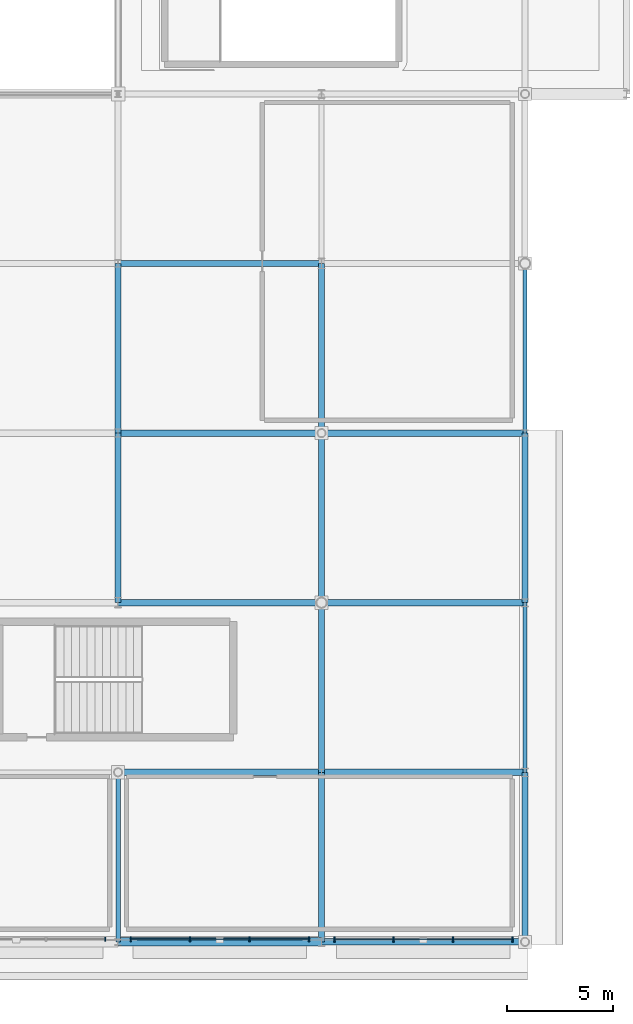
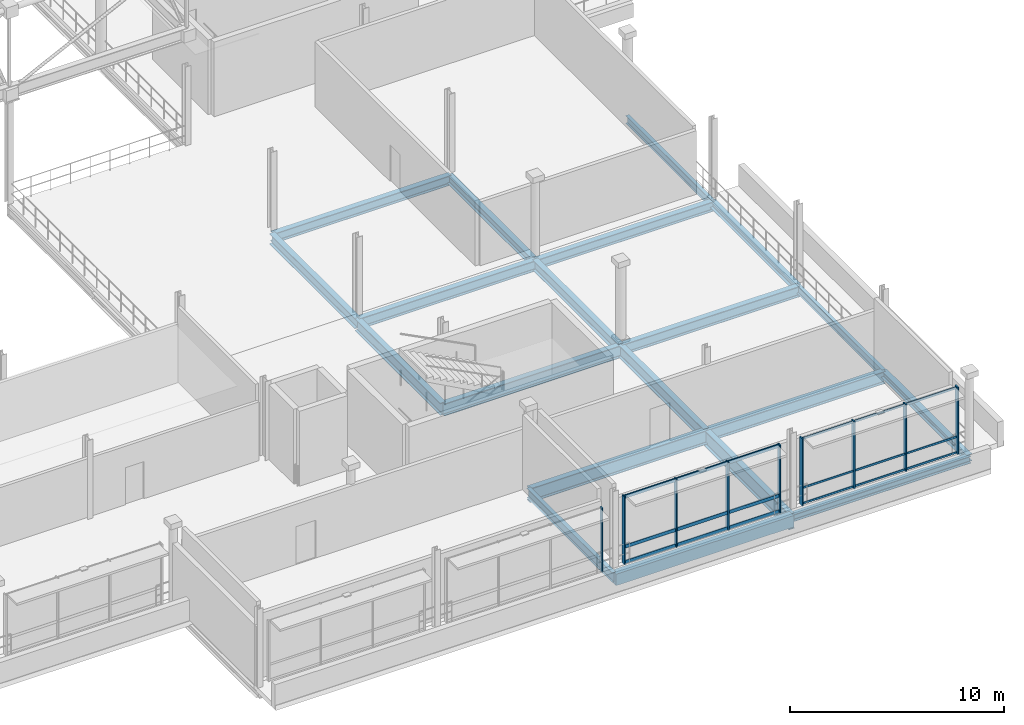
# One storey, part 83 of 193: 20 beams, 15 members, 3 elements without a shape of their own.
"""IFC4 building model written with IfcOpenShell, lengths in metres."""

from ifc_helpers import new_model, si_unit, direction, frame, origin, origin_2d, place, context, subcontext, project, spatial, rectangle, i_section, extrude, material, material_profile, profile_set, type_object, element, aggregate, save


model = new_model("IFC4")

# Units and contexts
model_context = context("Model", 3, precision=1e-05, world=origin(), true_north=direction((0.0, 1.0)))
body_context = subcontext(model_context, "Body", "Model", "MODEL_VIEW")
ifc_project = project(units=[si_unit("LENGTHUNIT", "METRE"), si_unit("AREAUNIT", "SQUARE_METRE"), si_unit("VOLUMEUNIT", "CUBIC_METRE"), si_unit("PLANEANGLEUNIT", "RADIAN"), si_unit("MASSUNIT", "GRAM", prefix="KILO")], contexts=[model_context])

# Site, building, storey
site_placement = place(None, origin())
site = spatial("IfcSite", under=ifc_project, at=site_placement, CompositionType="ELEMENT")
building_placement = place(site_placement, origin())
building = spatial("IfcBuilding", under=site, at=building_placement, Name="Danafjord Basin Convention Centre", CompositionType="ELEMENT")
storey_placement = place(building_placement, frame((0.0, 0.0, 11.39990234375)))
storey = spatial("IfcBuildingStorey", under=building, at=storey_placement, Name="L02", CompositionType="ELEMENT", Elevation=11.39990234375)

# Beams
ifc_material_1 = material(Name="Steel S355", Category="steel")
ifc_material_profile_1 = material_profile(ifc_material_1, i_section(OverallWidth=0.300048828125, OverallDepth=0.5, WebThickness=0.014404296875, FlangeThickness=0.028076171875, FilletRadius=0.027099609375, at=origin_2d()), Name="HEB 500")
ifc_profile_set_1 = profile_set([ifc_material_profile_1], Name="Steel S355")
beam_type_1 = type_object("IfcBeamType", Name="BEAM-BM-HEB500", PredefinedType="BEAM", material=ifc_profile_set_1)
beam_1_placement = place(storey_placement, frame((201.60009765625, 24.0, -0.47998046875), z_axis=(0.0, 1.0, 0.0), x_axis=(-1.0, 0.0, 0.0)))
element("IfcBeam", 1, at=beam_1_placement, inside=storey, type_object=beam_type_1, Name="L02 transverse girder BM-HEB500", PredefinedType="BEAM", context=body_context, shape_type="SweptSolid", body=[
    extrude(i_section(OverallWidth=0.300048828125, OverallDepth=0.5, WebThickness=0.014404296875, FlangeThickness=0.028076171875, FilletRadius=0.027099609375, at=origin_2d()), origin(), (0.0, 0.0, 1.0), 8.0),
])
ifc_material_profile_2 = material_profile(ifc_material_1, i_section(OverallWidth=0.300048828125, OverallDepth=0.550048828125, WebThickness=0.014892578125, FlangeThickness=0.029052734375, FilletRadius=0.027099609375, at=origin_2d()), Name="HEB 550")
ifc_profile_set_2 = profile_set([ifc_material_profile_2], Name="Steel S355")
beam_type_2 = type_object("IfcBeamType", Name="BEAM-BM-HEB550", PredefinedType="BEAM", material=ifc_profile_set_2)
beam_2_placement = place(storey_placement, frame((192.0, 32.0, -0.5048828125), z_axis=(1.0, 0.0, 0.0), x_axis=(0.0, 1.0, 0.0)))
element("IfcBeam", 2, at=beam_2_placement, inside=storey, type_object=beam_type_2, Name="L02 girder BM-HEB550", PredefinedType="BEAM", context=body_context, shape_type="SweptSolid", body=[
    extrude(i_section(OverallWidth=0.300048828125, OverallDepth=0.550048828125, WebThickness=0.014892578125, FlangeThickness=0.029052734375, FilletRadius=0.027099609375, at=origin_2d()), origin(), (0.0, 0.0, 1.0), 9.60009765625),
])
beam_3_placement = place(storey_placement, frame((201.60009765625, 24.0, -0.5048828125), z_axis=(1.0, 0.0, 0.0), x_axis=(0.0, 1.0, 0.0)))
element("IfcBeam", 3, at=beam_3_placement, inside=storey, type_object=beam_type_2, Name="L02 girder BM-HEB550", PredefinedType="BEAM", context=body_context, shape_type="SweptSolid", body=[
    extrude(i_section(OverallWidth=0.300048828125, OverallDepth=0.550048828125, WebThickness=0.014892578125, FlangeThickness=0.029052734375, FilletRadius=0.027099609375, at=origin_2d()), origin(), (0.0, 0.0, 1.0), 9.599853515625),
])
ifc_material_profile_3 = material_profile(ifc_material_1, i_section(OverallWidth=0.300048828125, OverallDepth=0.60009765625, WebThickness=0.015380859375, FlangeThickness=0.030029296875, FilletRadius=0.027099609375, at=origin_2d()), Name="HEB 600")
ifc_profile_set_3 = profile_set([ifc_material_profile_3], Name="Steel S355")
beam_type_3 = type_object("IfcBeamType", Name="BEAM-BM-HEB600", PredefinedType="BEAM", material=ifc_profile_set_3)
beam_4_placement = place(storey_placement, frame((192.0, 24.0, -0.52978515625), z_axis=(1.0, 0.0, 0.0), x_axis=(0.0, 1.0, 0.0)))
element("IfcBeam", 4, at=beam_4_placement, inside=storey, type_object=beam_type_3, Name="L02 girder BM-HEB600", PredefinedType="BEAM", context=body_context, shape_type="SweptSolid", body=[
    extrude(i_section(OverallWidth=0.300048828125, OverallDepth=0.60009765625, WebThickness=0.015380859375, FlangeThickness=0.030029296875, FilletRadius=0.027099609375, at=origin_2d()), origin(), (0.0, 0.0, 1.0), 9.60009765625),
])
beam_5_placement = place(storey_placement, frame((201.60009765625, 16.0, -0.52978515625), z_axis=(1.0, 0.0, 0.0), x_axis=(0.0, 1.0, 0.0)))
element("IfcBeam", 5, at=beam_5_placement, inside=storey, type_object=beam_type_3, Name="L02 girder BM-HEB600", PredefinedType="BEAM", context=body_context, shape_type="SweptSolid", body=[
    extrude(i_section(OverallWidth=0.300048828125, OverallDepth=0.60009765625, WebThickness=0.015380859375, FlangeThickness=0.030029296875, FilletRadius=0.027099609375, at=origin_2d()), origin(), (0.0, 0.0, 1.0), 9.599853515625),
])
for number, where, z_axis, x_axis, name in (
    (6, (192.0, 24.0, -0.52978515625), (0.0, 1.0, 0.0), (-1.0, 0.0, 0.0), "L02 transverse girder BM-HEB600"),
    (7, (201.60009765625, 16.0, -0.52978515625), (0.0, 1.0, 0.0), (-1.0, 0.0, 0.0), "L02 transverse girder BM-HEB600"),
):
    element("IfcBeam", number, at=place(storey_placement, frame(where, z_axis=z_axis, x_axis=x_axis)), inside=storey, type_object=beam_type_3, Name=name, PredefinedType="BEAM", context=body_context, shape_type="SweptSolid", body=[
        extrude(i_section(OverallWidth=0.300048828125, OverallDepth=0.60009765625, WebThickness=0.015380859375, FlangeThickness=0.030029296875, FilletRadius=0.027099609375, at=origin_2d()), origin(), (0.0, 0.0, 1.0), 8.0),
    ])
ifc_material_profile_4 = material_profile(ifc_material_1, i_section(OverallWidth=0.300048828125, OverallDepth=0.699951171875, WebThickness=0.01708984375, FlangeThickness=0.031982421875, FilletRadius=0.027099609375, at=origin_2d()), Name="HEB 700")
ifc_profile_set_4 = profile_set([ifc_material_profile_4], Name="Steel S355")
beam_type_4 = type_object("IfcBeamType", Name="BEAM-BM-HEB700", PredefinedType="BEAM", material=ifc_profile_set_4)
beam_6_placement = place(storey_placement, frame((192.0, 16.0, -0.579833984375), z_axis=(1.0, 0.0, 0.0), x_axis=(0.0, 1.0, 0.0)))
element("IfcBeam", 8, at=beam_6_placement, inside=storey, type_object=beam_type_4, Name="L02 girder BM-HEB700", PredefinedType="BEAM", context=body_context, shape_type="SweptSolid", body=[
    extrude(i_section(OverallWidth=0.300048828125, OverallDepth=0.699951171875, WebThickness=0.01708984375, FlangeThickness=0.031982421875, FilletRadius=0.027099609375, at=origin_2d()), origin(), (0.0, 0.0, 1.0), 9.60009765625),
])
beam_7_placement = place(storey_placement, frame((201.60009765625, 8.0, -0.579833984375), z_axis=(1.0, 0.0, 0.0), x_axis=(0.0, 1.0, 0.0)))
element("IfcBeam", 9, at=beam_7_placement, inside=storey, type_object=beam_type_4, Name="L02 girder BM-HEB700", PredefinedType="BEAM", context=body_context, shape_type="SweptSolid", body=[
    extrude(i_section(OverallWidth=0.300048828125, OverallDepth=0.699951171875, WebThickness=0.01708984375, FlangeThickness=0.031982421875, FilletRadius=0.027099609375, at=origin_2d()), origin(), (0.0, 0.0, 1.0), 9.599853515625),
])
for number, where, z_axis, x_axis, name in (
    (10, (192.0, 16.0, -0.579833984375), (0.0, 1.0, 0.0), (-1.0, 0.0, 0.0), "L02 transverse girder BM-HEB700"),
    (11, (201.60009765625, 8.0, -0.579833984375), (0.0, 1.0, 0.0), (-1.0, 0.0, 0.0), "L02 transverse girder BM-HEB700"),
):
    element("IfcBeam", number, at=place(storey_placement, frame(where, z_axis=z_axis, x_axis=x_axis)), inside=storey, type_object=beam_type_4, Name=name, PredefinedType="BEAM", context=body_context, shape_type="SweptSolid", body=[
        extrude(i_section(OverallWidth=0.300048828125, OverallDepth=0.699951171875, WebThickness=0.01708984375, FlangeThickness=0.031982421875, FilletRadius=0.027099609375, at=origin_2d()), origin(), (0.0, 0.0, 1.0), 8.0),
    ])
ifc_material_profile_5 = material_profile(ifc_material_1, i_section(OverallWidth=0.300048828125, OverallDepth=0.800048828125, WebThickness=0.017578125, FlangeThickness=0.032958984375, FilletRadius=0.030029296875, at=origin_2d()), Name="HEB 800")
ifc_profile_set_5 = profile_set([ifc_material_profile_5], Name="Steel S355")
beam_type_5 = type_object("IfcBeamType", Name="BEAM-BM-HEB800", PredefinedType="BEAM", material=ifc_profile_set_5)
beam_8_placement = place(storey_placement, frame((192.0, 8.0, -0.6298828125), z_axis=(1.0, 0.0, 0.0), x_axis=(0.0, 1.0, 0.0)))
element("IfcBeam", 12, at=beam_8_placement, inside=storey, type_object=beam_type_5, Name="L02 girder BM-HEB800", PredefinedType="BEAM", context=body_context, shape_type="SweptSolid", body=[
    extrude(i_section(OverallWidth=0.300048828125, OverallDepth=0.800048828125, WebThickness=0.017578125, FlangeThickness=0.032958984375, FilletRadius=0.030029296875, at=origin_2d()), origin(), (0.0, 0.0, 1.0), 9.60009765625),
])
ifc_material_profile_6 = material_profile(ifc_material_1, i_section(OverallWidth=0.300048828125, OverallDepth=0.89990234375, WebThickness=0.0185546875, FlangeThickness=0.034912109375, FilletRadius=0.030029296875, at=origin_2d()), Name="HEB 900")
ifc_profile_set_6 = profile_set([ifc_material_profile_6], Name="Steel S355")
beam_type_6 = type_object("IfcBeamType", Name="BEAM-BM-HEB900", PredefinedType="BEAM", material=ifc_profile_set_6)
beam_9_placement = place(storey_placement, frame((201.60009765625, 0.0, -0.679931640625), z_axis=(0.0, 1.0, 0.0), x_axis=(-1.0, 0.0, 0.0)))
element("IfcBeam", 13, at=beam_9_placement, inside=storey, type_object=beam_type_6, Name="L02 transverse girder BM-HEB900", PredefinedType="BEAM", context=body_context, shape_type="SweptSolid", body=[
    extrude(i_section(OverallWidth=0.300048828125, OverallDepth=0.89990234375, WebThickness=0.0185546875, FlangeThickness=0.034912109375, FilletRadius=0.030029296875, at=origin_2d()), origin(), (0.0, 0.0, 1.0), 8.0),
])
ifc_material_profile_7 = material_profile(ifc_material_1, i_section(OverallWidth=0.2099609375, OverallDepth=0.550048828125, WebThickness=0.010986328125, FlangeThickness=0.01708984375, FilletRadius=0.02392578125, at=origin_2d()), Name="IPE 550")
ifc_profile_set_7 = profile_set([ifc_material_profile_7], Name="Steel S355")
beam_type_7 = type_object("IfcBeamType", Name="BEAM-BM-IPE550", PredefinedType="BEAM", material=ifc_profile_set_7)
beam_10_placement = place(storey_placement, frame((192.0, 0.0, -0.5048828125), z_axis=(0.0, 1.0, 0.0), x_axis=(-1.0, 0.0, 0.0)))
element("IfcBeam", 14, at=beam_10_placement, inside=storey, type_object=beam_type_7, Name="L02 transverse girder BM-IPE550", PredefinedType="BEAM", context=body_context, shape_type="SweptSolid", body=[
    extrude(i_section(OverallWidth=0.2099609375, OverallDepth=0.550048828125, WebThickness=0.010986328125, FlangeThickness=0.01708984375, FilletRadius=0.02392578125, at=origin_2d()), origin(), (0.0, 0.0, 1.0), 8.0),
])
ifc_material_profile_8 = material_profile(ifc_material_1, i_section(OverallWidth=0.300048828125, OverallDepth=0.39990234375, WebThickness=0.013427734375, FlangeThickness=0.02392578125, FilletRadius=0.027099609375, at=origin_2d()), Name="HEB 400")
ifc_profile_set_8 = profile_set([ifc_material_profile_8], Name="Steel S355")
beam_type_8 = type_object("IfcBeamType", Name="BEAM-SP-HEB400", PredefinedType="SPANDREL", material=ifc_profile_set_8)
beam_11_placement = place(storey_placement, frame((201.60009765625, 0.0, -0.429931640625), z_axis=(1.0, 0.0, 0.0), x_axis=(0.0, 1.0, 0.0)))
element("IfcBeam", 15, at=beam_11_placement, inside=storey, type_object=beam_type_8, Name="L02 girder SP-HEB400", PredefinedType="SPANDREL", context=body_context, shape_type="SweptSolid", body=[
    extrude(i_section(OverallWidth=0.300048828125, OverallDepth=0.39990234375, WebThickness=0.013427734375, FlangeThickness=0.02392578125, FilletRadius=0.027099609375, at=origin_2d()), origin(), (0.0, 0.0, 1.0), 9.599853515625),
])
for number, where, z_axis, x_axis, name in (
    (16, (211.199951171875, 0.0, -0.429931640625), (0.0, 1.0, 0.0), (-1.0, 0.0, 0.0), "L02 transverse girder SP-HEB400"),
    (17, (211.199951171875, 16.0, -0.429931640625), (0.0, 1.0, 0.0), (-1.0, 0.0, 0.0), "L02 transverse girder SP-HEB400"),
):
    element("IfcBeam", number, at=place(storey_placement, frame(where, z_axis=z_axis, x_axis=x_axis)), inside=storey, type_object=beam_type_8, Name=name, PredefinedType="SPANDREL", context=body_context, shape_type="SweptSolid", body=[
        extrude(i_section(OverallWidth=0.300048828125, OverallDepth=0.39990234375, WebThickness=0.013427734375, FlangeThickness=0.02392578125, FilletRadius=0.027099609375, at=origin_2d()), origin(), (0.0, 0.0, 1.0), 8.0),
    ])
ifc_material_profile_9 = material_profile(ifc_material_1, i_section(OverallWidth=0.18994140625, OverallDepth=0.449951171875, WebThickness=0.009521484375, FlangeThickness=0.0146484375, FilletRadius=0.02099609375, at=origin_2d()), Name="IPE 450")
ifc_profile_set_9 = profile_set([ifc_material_profile_9], Name="Steel S355")
beam_type_9 = type_object("IfcBeamType", Name="BEAM-SP-IPE450", PredefinedType="SPANDREL", material=ifc_profile_set_9)
for number, where, z_axis, x_axis, name in (
    (18, (211.199951171875, 8.0, -0.454833984375), (0.0, 1.0, 0.0), (-1.0, 0.0, 0.0), "L02 transverse girder SP-IPE450"),
    (19, (211.199951171875, 24.0, -0.454833984375), (0.0, 1.0, 0.0), (-1.0, 0.0, 0.0), "L02 transverse girder SP-IPE450"),
):
    element("IfcBeam", number, at=place(storey_placement, frame(where, z_axis=z_axis, x_axis=x_axis)), inside=storey, type_object=beam_type_9, Name=name, PredefinedType="SPANDREL", context=body_context, shape_type="SweptSolid", body=[
        extrude(i_section(OverallWidth=0.18994140625, OverallDepth=0.449951171875, WebThickness=0.009521484375, FlangeThickness=0.0146484375, FilletRadius=0.02099609375, at=origin_2d()), origin(), (0.0, 0.0, 1.0), 8.0),
    ])
ifc_material_2 = material(Name="Precast concrete C45/55", Category="concrete")
ifc_material_profile_10 = material_profile(ifc_material_2, rectangle(XDim=0.39990234375, YDim=0.64990234375, at=origin_2d()), Name="PCB 400x650")
ifc_profile_set_10 = profile_set([ifc_material_profile_10], Name="Precast concrete C45/55")
beam_type_10 = type_object("IfcBeamType", Name="BEAM-SP-PCB650", PredefinedType="SPANDREL", material=ifc_profile_set_10)
beam_12_placement = place(storey_placement, frame((192.0, 0.0, -0.554931640625), z_axis=(1.0, 0.0, 0.0), x_axis=(0.0, 1.0, 0.0)))
element("IfcBeam", 20, at=beam_12_placement, inside=storey, type_object=beam_type_10, Name="L02 girder SP-PCB650", PredefinedType="SPANDREL", context=body_context, shape_type="SweptSolid", body=[
    extrude(rectangle(XDim=0.39990234375, YDim=0.64990234375, at=origin_2d()), origin(), (0.0, 0.0, 1.0), 9.60009765625),
])

# Curtain wall, member
ifc_material_3 = material(Name="Anodised aluminium and triple glazing", Category="aluminium")
curtain_wall_type = type_object("IfcCurtainWallType", Name="CW-CW-HARB", PredefinedType="NOTDEFINED", material=ifc_material_3)
curtain_wall_1_placement = place(storey_placement, origin())
curtain_wall_1 = element("IfcCurtainWall", 21, at=curtain_wall_1_placement, inside=storey, type_object=curtain_wall_type, Name="L02 CW-HARB unitised curtain wall bay 136", PredefinedType="NOTDEFINED")
ifc_material_4 = material(Name="Anodised aluminium EN AW-6060", Category="aluminium")
ifc_material_profile_11 = material_profile(ifc_material_4, rectangle(XDim=0.06005859375, YDim=0.179931640625, at=origin_2d()), Name="MULL 60x180")
ifc_profile_set_11 = profile_set([ifc_material_profile_11], Name="Anodised aluminium EN AW-6060")
member_type_1 = type_object("IfcMemberType", Name="MEM-ML-180", PredefinedType="MULLION", material=ifc_profile_set_11)
member_1_placement = place(storey_placement, frame((191.39990234375, 0.1201171875, -0.02490234375), z_axis=(0.0, 0.0, 1.0), x_axis=(1.0, 0.0, 0.0)))
member_1 = element("IfcMember", 22, at=member_1_placement, type_object=member_type_1, Name="CW-L02-136 mullion 4", PredefinedType="MULLION", context=body_context, shape_type="SweptSolid", body=[
    extrude(rectangle(XDim=0.06005859375, YDim=0.179931640625, at=origin_2d()), origin(), (0.0, 0.0, 1.0), 3.64111328125),
])
aggregate(curtain_wall_1, [member_1])

# Curtain wall, members
curtain_wall_2_placement = place(storey_placement, origin())
curtain_wall_2 = element("IfcCurtainWall", 23, at=curtain_wall_2_placement, inside=storey, type_object=curtain_wall_type, Name="L02 CW-HARB unitised curtain wall bay 137", PredefinedType="NOTDEFINED")
ifc_material_profile_12 = material_profile(ifc_material_4, rectangle(XDim=0.06494140625, YDim=0.219970703125, at=origin_2d()), Name="MULL 65x220")
ifc_profile_set_12 = profile_set([ifc_material_profile_12], Name="Anodised aluminium EN AW-6060")
member_type_2 = type_object("IfcMemberType", Name="MEM-ML-220", PredefinedType="MULLION", material=ifc_profile_set_12)
member_2_placement = place(storey_placement, frame((192.60009765625, 0.1201171875, -0.02490234375), z_axis=(0.0, 0.0, 1.0), x_axis=(1.0, 0.0, 0.0)))
member_2 = element("IfcMember", 24, at=member_2_placement, type_object=member_type_2, Name="CW-L02-137 mullion 1", PredefinedType="MULLION", context=body_context, shape_type="SweptSolid", body=[
    extrude(rectangle(XDim=0.06494140625, YDim=0.219970703125, at=origin_2d()), origin(), (0.0, 0.0, 1.0), 3.89111328125),
])
member_3_placement = place(storey_placement, frame((195.39990234375, 0.1201171875, -0.02490234375), z_axis=(0.0, 0.0, 1.0), x_axis=(1.0, 0.0, 0.0)))
member_3 = element("IfcMember", 25, at=member_3_placement, type_object=member_type_2, Name="CW-L02-137 mullion 2", PredefinedType="MULLION", context=body_context, shape_type="SweptSolid", body=[
    extrude(rectangle(XDim=0.06494140625, YDim=0.219970703125, at=origin_2d()), origin(), (0.0, 0.0, 1.0), 3.89111328125),
])
member_4_placement = place(storey_placement, frame((198.199951171875, 0.1201171875, -0.02490234375), z_axis=(0.0, 0.0, 1.0), x_axis=(1.0, 0.0, 0.0)))
member_4 = element("IfcMember", 26, at=member_4_placement, type_object=member_type_2, Name="CW-L02-137 mullion 3", PredefinedType="MULLION", context=body_context, shape_type="SweptSolid", body=[
    extrude(rectangle(XDim=0.06494140625, YDim=0.219970703125, at=origin_2d()), origin(), (0.0, 0.0, 1.0), 3.89111328125),
])
member_5_placement = place(storey_placement, frame((201.0, 0.1201171875, -0.02490234375), z_axis=(0.0, 0.0, 1.0), x_axis=(1.0, 0.0, 0.0)))
member_5 = element("IfcMember", 27, at=member_5_placement, type_object=member_type_2, Name="CW-L02-137 mullion 4", PredefinedType="MULLION", context=body_context, shape_type="SweptSolid", body=[
    extrude(rectangle(XDim=0.06494140625, YDim=0.219970703125, at=origin_2d()), origin(), (0.0, 0.0, 1.0), 3.89111328125),
])

curtain_wall_3_placement = place(storey_placement, origin())
curtain_wall_3 = element("IfcCurtainWall", 28, at=curtain_wall_3_placement, inside=storey, type_object=curtain_wall_type, Name="L02 CW-HARB unitised curtain wall bay 138", PredefinedType="NOTDEFINED")
ifc_material_profile_13 = material_profile(ifc_material_4, rectangle(XDim=0.070068359375, YDim=0.260009765625, at=origin_2d()), Name="MULL 70x260")
ifc_profile_set_13 = profile_set([ifc_material_profile_13], Name="Anodised aluminium EN AW-6060")
member_type_3 = type_object("IfcMemberType", Name="MEM-ML-260", PredefinedType="MULLION", material=ifc_profile_set_13)
member_6_placement = place(storey_placement, frame((202.199951171875, 0.1201171875, -0.02490234375), z_axis=(0.0, 0.0, 1.0), x_axis=(1.0, 0.0, 0.0)))
member_6 = element("IfcMember", 29, at=member_6_placement, type_object=member_type_3, Name="CW-L02-138 mullion 1", PredefinedType="MULLION", context=body_context, shape_type="SweptSolid", body=[
    extrude(rectangle(XDim=0.070068359375, YDim=0.260009765625, at=origin_2d()), origin(), (0.0, 0.0, 1.0), 3.841064453125),
])
member_7_placement = place(storey_placement, frame((205.0, 0.1201171875, -0.02490234375), z_axis=(0.0, 0.0, 1.0), x_axis=(1.0, 0.0, 0.0)))
member_7 = element("IfcMember", 30, at=member_7_placement, type_object=member_type_3, Name="CW-L02-138 mullion 2", PredefinedType="MULLION", context=body_context, shape_type="SweptSolid", body=[
    extrude(rectangle(XDim=0.070068359375, YDim=0.260009765625, at=origin_2d()), origin(), (0.0, 0.0, 1.0), 3.841064453125),
])
member_8_placement = place(storey_placement, frame((207.800048828125, 0.1201171875, -0.02490234375), z_axis=(0.0, 0.0, 1.0), x_axis=(1.0, 0.0, 0.0)))
member_8 = element("IfcMember", 31, at=member_8_placement, type_object=member_type_3, Name="CW-L02-138 mullion 3", PredefinedType="MULLION", context=body_context, shape_type="SweptSolid", body=[
    extrude(rectangle(XDim=0.070068359375, YDim=0.260009765625, at=origin_2d()), origin(), (0.0, 0.0, 1.0), 3.841064453125),
])
member_9_placement = place(storey_placement, frame((210.60009765625, 0.1201171875, -0.02490234375), z_axis=(0.0, 0.0, 1.0), x_axis=(1.0, 0.0, 0.0)))
member_9 = element("IfcMember", 32, at=member_9_placement, type_object=member_type_3, Name="CW-L02-138 mullion 4", PredefinedType="MULLION", context=body_context, shape_type="SweptSolid", body=[
    extrude(rectangle(XDim=0.070068359375, YDim=0.260009765625, at=origin_2d()), origin(), (0.0, 0.0, 1.0), 3.841064453125),
])
ifc_material_profile_14 = material_profile(ifc_material_4, rectangle(XDim=0.06005859375, YDim=0.110107421875, at=origin_2d()), Name="TRAN 60x110")
ifc_profile_set_14 = profile_set([ifc_material_profile_14], Name="Anodised aluminium EN AW-6060")
member_type_4 = type_object("IfcMemberType", Name="MEM-TR-110", PredefinedType="USERDEFINED", material=ifc_profile_set_14)
member_10_placement = place(storey_placement, frame((202.199951171875, 0.1201171875, 0.06005859375), z_axis=(1.0, 0.0, 0.0), x_axis=(0.0, 1.0, 0.0)))
member_10 = element("IfcMember", 33, at=member_10_placement, type_object=member_type_4, Name="CW-L02-138 transom 1", ObjectType="TRANSOM", PredefinedType="USERDEFINED", context=body_context, shape_type="SweptSolid", body=[
    extrude(rectangle(XDim=0.06005859375, YDim=0.110107421875, at=origin_2d()), origin(), (0.0, 0.0, 1.0), 8.400146484375),
])
member_11_placement = place(storey_placement, frame((202.199951171875, 0.1201171875, 0.9501953125), z_axis=(1.0, 0.0, 0.0), x_axis=(0.0, 1.0, 0.0)))
member_11 = element("IfcMember", 34, at=member_11_placement, type_object=member_type_4, Name="CW-L02-138 transom 2", ObjectType="TRANSOM", PredefinedType="USERDEFINED", context=body_context, shape_type="SweptSolid", body=[
    extrude(rectangle(XDim=0.06005859375, YDim=0.110107421875, at=origin_2d()), origin(), (0.0, 0.0, 1.0), 8.400146484375),
])
member_12_placement = place(storey_placement, frame((202.199951171875, 0.1201171875, 3.74609375), z_axis=(1.0, 0.0, 0.0), x_axis=(0.0, 1.0, 0.0)))
member_12 = element("IfcMember", 35, at=member_12_placement, type_object=member_type_4, Name="CW-L02-138 transom 3", ObjectType="TRANSOM", PredefinedType="USERDEFINED", context=body_context, shape_type="SweptSolid", body=[
    extrude(rectangle(XDim=0.06005859375, YDim=0.110107421875, at=origin_2d()), origin(), (0.0, 0.0, 1.0), 8.400146484375),
])
aggregate(curtain_wall_3, [member_6, member_7, member_8, member_9, member_10, member_11, member_12])

# Member
ifc_material_profile_15 = material_profile(ifc_material_4, rectangle(XDim=0.06494140625, YDim=0.18994140625, at=origin_2d()), Name="TRAN 65x190")
ifc_profile_set_15 = profile_set([ifc_material_profile_15], Name="Anodised aluminium EN AW-6060")
member_type_5 = type_object("IfcMemberType", Name="MEM-TR-190", PredefinedType="USERDEFINED", material=ifc_profile_set_15)
member_13_placement = place(storey_placement, frame((192.60009765625, 0.1201171875, 0.06005859375), z_axis=(1.0, 0.0, 0.0), x_axis=(0.0, 1.0, 0.0)))
member_13 = element("IfcMember", 36, at=member_13_placement, type_object=member_type_5, Name="CW-L02-137 transom 1", ObjectType="TRANSOM", PredefinedType="USERDEFINED", context=body_context, shape_type="SweptSolid", body=[
    extrude(rectangle(XDim=0.06494140625, YDim=0.18994140625, at=origin_2d()), origin(), (0.0, 0.0, 1.0), 8.39990234375),
])

member_14_placement = place(storey_placement, frame((192.60009765625, 0.1201171875, 0.9501953125), z_axis=(1.0, 0.0, 0.0), x_axis=(0.0, 1.0, 0.0)))
member_14 = element("IfcMember", 37, at=member_14_placement, type_object=member_type_5, Name="CW-L02-137 transom 2", ObjectType="TRANSOM", PredefinedType="USERDEFINED", context=body_context, shape_type="SweptSolid", body=[
    extrude(rectangle(XDim=0.06494140625, YDim=0.18994140625, at=origin_2d()), origin(), (0.0, 0.0, 1.0), 8.39990234375),
])

member_15_placement = place(storey_placement, frame((192.60009765625, 0.1201171875, 3.796142578125), z_axis=(1.0, 0.0, 0.0), x_axis=(0.0, 1.0, 0.0)))
member_15 = element("IfcMember", 38, at=member_15_placement, type_object=member_type_5, Name="CW-L02-137 transom 3", ObjectType="TRANSOM", PredefinedType="USERDEFINED", context=body_context, shape_type="SweptSolid", body=[
    extrude(rectangle(XDim=0.06494140625, YDim=0.18994140625, at=origin_2d()), origin(), (0.0, 0.0, 1.0), 8.39990234375),
])

aggregate(curtain_wall_2, [member_2, member_3, member_4, member_5, member_13, member_14, member_15])

save(model, "model.ifc")
